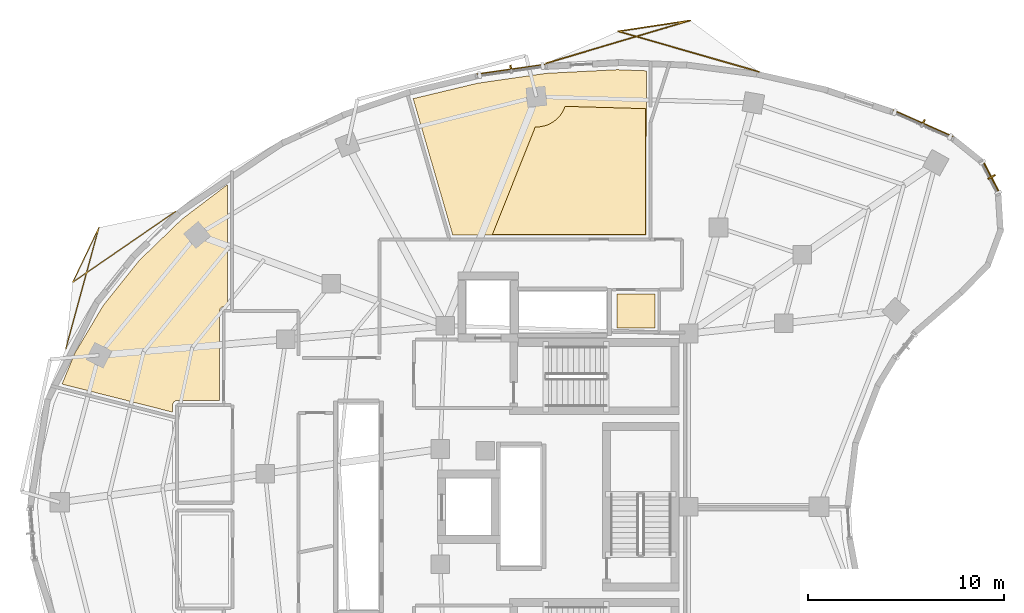
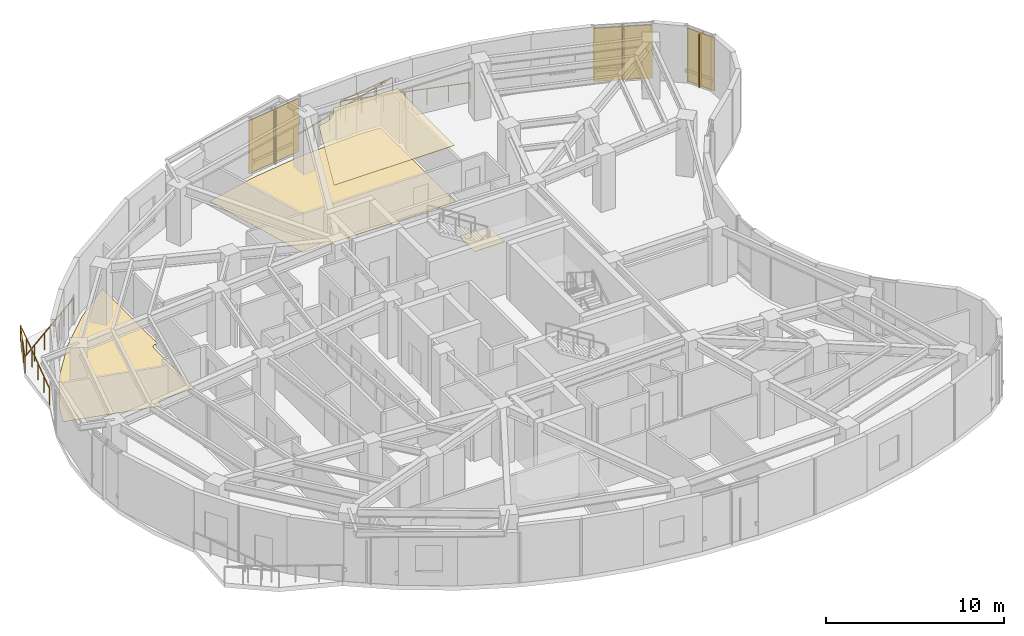
# One storey, part 15 of 15: 6 shading devices, 4 coverings, 2 railings.
"""IFC4 building model written with IfcOpenShell, lengths in metres."""

from ifc_helpers import new_model, si_unit, direction, frame, origin, origin_2d, place, context, subcontext, project, spatial, polyline, rectangle, outline, extrude, material, layer, layer_set, type_object, element, save


model = new_model("IFC4")

# Units and contexts
model_context = context("Model", 3, precision=1e-05, world=origin(), true_north=direction((0.0, 1.0)))
body_context = subcontext(model_context, "Body", "Model", "MODEL_VIEW")
ifc_project = project(units=[si_unit("LENGTHUNIT", "METRE"), si_unit("AREAUNIT", "SQUARE_METRE"), si_unit("VOLUMEUNIT", "CUBIC_METRE"), si_unit("PLANEANGLEUNIT", "RADIAN"), si_unit("MASSUNIT", "GRAM", prefix="KILO")], contexts=[model_context])

# Site, building, storey
site_placement = place(None, origin())
site = spatial("IfcSite", under=ifc_project, at=site_placement, CompositionType="ELEMENT")
building_placement = place(site_placement, origin())
building = spatial("IfcBuilding", under=site, at=building_placement, Name="Korentha Bioscience Tower", CompositionType="ELEMENT")
storey_placement = place(building_placement, frame((0.0, 0.0, 235.199951171875)))
storey = spatial("IfcBuildingStorey", under=building, at=storey_placement, Name="L54", CompositionType="ELEMENT", Elevation=235.199951171875)

# Covering
ifc_material_1 = material(Name="Vitrified Porcelain Tile", Category="ceramic")
ifc_layer_1 = layer(ifc_material_1, 0.014892578125, Name="Vitrified Porcelain Tile")
ifc_layer_set_1 = layer_set([ifc_layer_1], Name="Vitrified Porcelain Tile (FL-CER)")
covering_type_1 = type_object("IfcCoveringType", Name="Anti-Slip Ceramic Wet-Room Tile Flooring 15", PredefinedType="FLOORING", material=ifc_layer_set_1)
covering_1_placement = place(storey_placement, origin())
element("IfcCovering", 1, at=covering_1_placement, inside=storey, type_object=covering_type_1, Name="L54 Accessible Staff WC Floor Finish", PredefinedType="FLOORING", context=body_context, shape_type="SweptSolid", body=[
    extrude(outline(polyline([(33.8701171875, 36.1298828125), (33.8701171875, 37.8701171875), (35.830078125, 37.8701171875), (35.830078125, 36.1298828125), (33.8701171875, 36.1298828125)])), origin(), (0.0, 0.0, 1.0), 0.01513671875),
])

# Railings
ifc_material_2 = material(Name="Laminated Tempered Safety Glass", Category="glass")
railing_type = type_object("IfcRailingType", Name="Laminated Glass Balcony Guardrail 1150", PredefinedType="BALUSTRADE", material=ifc_material_2)
railing_1_placement = place(storey_placement, frame((41.129638671875, 49.22900390625, 0.0)))
element("IfcRailing", 2, at=railing_1_placement, inside=storey, type_object=railing_type, Name="L54 Balcony Guardrail 01", PredefinedType="BALUSTRADE", context=body_context, shape_type="SweptSolid", body=[
    extrude(rectangle(XDim=0.048095703125, YDim=0.048095703125, at=origin_2d()), frame((0.0, 0.0, 1.1259765625), z_axis=(-0.961101180634, 0.276196525293, 0.0), x_axis=(-0.276196525293, -0.961101180634, 0.0)), (0.0, 0.0, 1.0), 7.472900390625),
    extrude(rectangle(XDim=0.048095703125, YDim=0.048095703125, at=origin_2d()), frame((-7.18212890625, 2.06396484375, 1.1259765625), z_axis=(0.98874263413, 0.149626212452, 0.0), x_axis=(-0.149626212452, 0.98874263413, 0.0)), (0.0, 0.0, 1.0), 3.713623046875),
    extrude(rectangle(XDim=0.048095703125, YDim=0.048095703125, at=origin_2d()), frame((-3.51025390625, 2.61962890625, 1.1259765625), z_axis=(-0.958546904997, -0.284934783626, 0.0), x_axis=(0.284934783626, -0.958546904997, 0.0)), (0.0, 0.0, 1.0), 7.688232421875),
    extrude(rectangle(XDim=0.0419921875, YDim=0.0419921875, at=origin_2d()), origin(), (0.0, 0.0, 1.0), 1.101806640625),
    extrude(rectangle(XDim=0.0419921875, YDim=0.0419921875, at=origin_2d()), frame((-1.197021484375, 0.343994140625, 0.0)), (0.0, 0.0, 1.0), 1.101806640625),
    extrude(rectangle(XDim=0.0419921875, YDim=0.0419921875, at=origin_2d()), frame((-2.39404296875, 0.68798828125, 0.0)), (0.0, 0.0, 1.0), 1.101806640625),
    extrude(rectangle(XDim=0.0419921875, YDim=0.0419921875, at=origin_2d()), frame((-3.591064453125, 1.031982421875, 0.0)), (0.0, 0.0, 1.0), 1.101806640625),
    extrude(rectangle(XDim=0.0419921875, YDim=0.0419921875, at=origin_2d()), frame((-4.7880859375, 1.3759765625, 0.0)), (0.0, 0.0, 1.0), 1.101806640625),
    extrude(rectangle(XDim=0.0419921875, YDim=0.0419921875, at=origin_2d()), frame((-5.985107421875, 1.719970703125, 0.0)), (0.0, 0.0, 1.0), 1.101806640625),
    extrude(rectangle(XDim=0.0419921875, YDim=0.0419921875, at=origin_2d()), frame((-7.18212890625, 2.06396484375, 0.0)), (0.0, 0.0, 1.0), 1.101806640625),
    extrude(rectangle(XDim=0.0419921875, YDim=0.0419921875, at=origin_2d()), frame((-5.958251953125, 2.249267578125, 0.0)), (0.0, 0.0, 1.0), 1.101806640625),
    extrude(rectangle(XDim=0.0419921875, YDim=0.0419921875, at=origin_2d()), frame((-4.734130859375, 2.434326171875, 0.0)), (0.0, 0.0, 1.0), 1.101806640625),
    extrude(rectangle(XDim=0.0419921875, YDim=0.0419921875, at=origin_2d()), frame((-3.51025390625, 2.61962890625, 0.0)), (0.0, 0.0, 1.0), 1.101806640625),
    extrude(rectangle(XDim=0.0419921875, YDim=0.0419921875, at=origin_2d()), frame((-4.738525390625, 2.25439453125, 0.0)), (0.0, 0.0, 1.0), 1.101806640625),
    extrude(rectangle(XDim=0.0419921875, YDim=0.0419921875, at=origin_2d()), frame((-5.966796875, 1.889404296875, 0.0)), (0.0, 0.0, 1.0), 1.101806640625),
    extrude(rectangle(XDim=0.0419921875, YDim=0.0419921875, at=origin_2d()), frame((-7.195068359375, 1.5244140625, 0.0)), (0.0, 0.0, 1.0), 1.101806640625),
    extrude(rectangle(XDim=0.0419921875, YDim=0.0419921875, at=origin_2d()), frame((-8.42333984375, 1.1591796875, 0.0)), (0.0, 0.0, 1.0), 1.101806640625),
    extrude(rectangle(XDim=0.0419921875, YDim=0.0419921875, at=origin_2d()), frame((-9.651611328125, 0.7939453125, 0.0)), (0.0, 0.0, 1.0), 1.101806640625),
    extrude(rectangle(XDim=0.0419921875, YDim=0.0419921875, at=origin_2d()), frame((-10.8798828125, 0.428955078125, 0.0)), (0.0, 0.0, 1.0), 1.101806640625),
])
railing_2_placement = place(storey_placement, frame((11.322509765625, 42.087646484375, 0.0)))
element("IfcRailing", 3, at=railing_2_placement, inside=storey, type_object=railing_type, Name="L54 Balcony Guardrail 02", PredefinedType="BALUSTRADE", context=body_context, shape_type="SweptSolid", body=[
    extrude(rectangle(XDim=0.048095703125, YDim=0.048095703125, at=origin_2d()), frame((0.0, 0.0, 1.1259765625), z_axis=(-0.823838559172, -0.566824512898, 0.0), x_axis=(0.566824512898, -0.823838559172, 0.0)), (0.0, 0.0, 1.0), 6.376708984375),
    extrude(rectangle(XDim=0.048095703125, YDim=0.048095703125, at=origin_2d()), frame((-5.25341796875, -3.614501953125, 1.1259765625), z_axis=(0.430999986966, 0.902351933137, 0.0), x_axis=(-0.902351933137, 0.430999986966, 0.0)), (0.0, 0.0, 1.0), 3.091796875),
    extrude(rectangle(XDim=0.048095703125, YDim=0.048095703125, at=origin_2d()), frame((-3.9208984375, -0.82470703125, 1.1259765625), z_axis=(-0.263030616196, -0.964787486934, 0.0), x_axis=(0.964787486934, -0.263030616196, 0.0)), (0.0, 0.0, 1.0), 6.4267578125),
    extrude(rectangle(XDim=0.0419921875, YDim=0.0419921875, at=origin_2d()), origin(), (0.0, 0.0, 1.0), 1.101806640625),
    extrude(rectangle(XDim=0.0419921875, YDim=0.0419921875, at=origin_2d()), frame((-1.05078125, -0.722900390625, 0.0)), (0.0, 0.0, 1.0), 1.101806640625),
    extrude(rectangle(XDim=0.0419921875, YDim=0.0419921875, at=origin_2d()), frame((-2.101318359375, -1.44580078125, 0.0)), (0.0, 0.0, 1.0), 1.101806640625),
    extrude(rectangle(XDim=0.0419921875, YDim=0.0419921875, at=origin_2d()), frame((-3.152099609375, -2.168701171875, 0.0)), (0.0, 0.0, 1.0), 1.101806640625),
    extrude(rectangle(XDim=0.0419921875, YDim=0.0419921875, at=origin_2d()), frame((-4.20263671875, -2.8916015625, 0.0)), (0.0, 0.0, 1.0), 1.101806640625),
    extrude(rectangle(XDim=0.0419921875, YDim=0.0419921875, at=origin_2d()), frame((-5.25341796875, -3.614501953125, 0.0)), (0.0, 0.0, 1.0), 1.101806640625),
    extrude(rectangle(XDim=0.0419921875, YDim=0.0419921875, at=origin_2d()), frame((-4.809326171875, -2.6845703125, 0.0)), (0.0, 0.0, 1.0), 1.101806640625),
    extrude(rectangle(XDim=0.0419921875, YDim=0.0419921875, at=origin_2d()), frame((-4.364990234375, -1.754638671875, 0.0)), (0.0, 0.0, 1.0), 1.101806640625),
    extrude(rectangle(XDim=0.0419921875, YDim=0.0419921875, at=origin_2d()), frame((-3.9208984375, -0.82470703125, 0.0)), (0.0, 0.0, 1.0), 1.101806640625),
    extrude(rectangle(XDim=0.0419921875, YDim=0.0419921875, at=origin_2d()), frame((-4.259033203125, -2.064697265625, 0.0)), (0.0, 0.0, 1.0), 1.101806640625),
    extrude(rectangle(XDim=0.0419921875, YDim=0.0419921875, at=origin_2d()), frame((-4.59716796875, -3.304931640625, 0.0)), (0.0, 0.0, 1.0), 1.101806640625),
    extrude(rectangle(XDim=0.0419921875, YDim=0.0419921875, at=origin_2d()), frame((-4.93505859375, -4.544921875, 0.0)), (0.0, 0.0, 1.0), 1.101806640625),
    extrude(rectangle(XDim=0.0419921875, YDim=0.0419921875, at=origin_2d()), frame((-5.273193359375, -5.78515625, 0.0)), (0.0, 0.0, 1.0), 1.101806640625),
    extrude(rectangle(XDim=0.0419921875, YDim=0.0419921875, at=origin_2d()), frame((-5.611328125, -7.025146484375, 0.0)), (0.0, 0.0, 1.0), 1.101806640625),
])

# Covering
ifc_material_3 = material(Name="Antimicrobial Mineral Fibre Board", Category="gypsum")
ifc_layer_2 = layer(ifc_material_3, 0.034912109375, Name="Antimicrobial Mineral Fibre Board")
ifc_layer_set_2 = layer_set([ifc_layer_2], Name="Antimicrobial Mineral Fibre Board (CL-MF35)")
covering_type_2 = type_object("IfcCoveringType", Name="Mineral-Fibre Cleanroom Suspended Ceiling 35", PredefinedType="CEILING", material=ifc_layer_set_2)
covering_2_placement = place(storey_placement, frame((0.0, 0.0, 3.864990234375)))
element("IfcCovering", 4, at=covering_2_placement, inside=storey, type_object=covering_type_2, Name="L54 Clean Linen and Labcoat Store 09 Acoustic Ceiling", PredefinedType="CEILING", context=body_context, shape_type="SweptSolid", body=[
    extrude(outline(polyline([(35.347900390625, 47.340576171875), (35.342041015625, 40.909912109375), (27.515380859375, 40.909912109375), (29.702880859375, 46.404052734375), (29.9111328125, 46.40869140625), (30.209228515625, 46.468017578125), (30.3525390625, 46.519287109375), (30.620361328125, 46.662353515625), (30.855224609375, 46.855224609375), (30.95751953125, 46.968017578125), (31.126220703125, 47.220458984375), (31.2275390625, 47.459228515625), (35.347900390625, 47.340576171875)])), origin(), (0.0, 0.0, 1.0), 0.03515625),
])

# Shading devices
ifc_material_4 = material(Name="Perforated Stone-Ceramic Composite", Category="masonry")
ifc_layer_3 = layer(ifc_material_4, 0.06494140625, Name="Perforated Stone-Ceramic Composite")
ifc_layer_set_3 = layer_set([ifc_layer_3], Name="Perforated Stone-Ceramic Composite (CS-01)")
shading_device_type_1 = type_object("IfcShadingDeviceType", Name="Perforated Stone-Ceramic Solar Screen Panel 65", PredefinedType="USERDEFINED", material=ifc_layer_set_3)
shading_device_1_placement = place(storey_placement, frame((49.5126953125, 46.582275390625, 0.0), z_axis=(0.0, 0.0, 1.0), x_axis=(-0.913943941578, 0.405840450983, 0.0)))
element("IfcShadingDevice", 5, at=shading_device_1_placement, inside=storey, type_object=shading_device_type_1, Name="CW-L54-01 Perforated Stone-Ceramic Solar Screen", ObjectType="SCREEN", PredefinedType="USERDEFINED", context=body_context, shape_type="SweptSolid", body=[
    extrude(rectangle(XDim=3.33837890625, YDim=0.06494140625, at=origin_2d()), origin(), (0.0, 0.0, 1.0), 3.64990234375),
])
shading_device_2_placement = place(storey_placement, frame((28.4658203125, 49.341796875, 0.0), z_axis=(0.0, 0.0, 1.0), x_axis=(-0.989901889134, -0.141754188259, 0.0)))
element("IfcShadingDevice", 6, at=shading_device_2_placement, inside=storey, type_object=shading_device_type_1, Name="CW-L54-07 Perforated Stone-Ceramic Solar Screen", ObjectType="SCREEN", PredefinedType="USERDEFINED", context=body_context, shape_type="SweptSolid", body=[
    extrude(rectangle(XDim=3.521484375, YDim=0.06494140625, at=origin_2d()), origin(), (0.0, 0.0, 1.0), 3.64990234375),
])
shading_device_3_placement = place(storey_placement, frame((53.003662109375, 43.843505859375, 0.0), z_axis=(0.0, 0.0, 1.0), x_axis=(-0.459738031963, 0.888054582763, 0.0)))
element("IfcShadingDevice", 7, at=shading_device_3_placement, inside=storey, type_object=shading_device_type_1, Name="CW-L54-61 Perforated Stone-Ceramic Solar Screen", ObjectType="SCREEN", PredefinedType="USERDEFINED", context=body_context, shape_type="SweptSolid", body=[
    extrude(rectangle(XDim=1.831298828125, YDim=0.06494140625, at=origin_2d()), origin(), (0.0, 0.0, 1.0), 3.64990234375),
])

# Coverings
ifc_material_5 = material(Name="Chemical-Resistant Epoxy Resin", Category="polymer")
ifc_layer_4 = layer(ifc_material_5, 0.011962890625, Name="Chemical-Resistant Epoxy Resin")
ifc_layer_set_4 = layer_set([ifc_layer_4], Name="Chemical-Resistant Epoxy Resin (FL-EPX)")
covering_type_3 = type_object("IfcCoveringType", Name="Seamless Epoxy Laboratory Flooring 12", PredefinedType="FLOORING", material=ifc_layer_set_4)
covering_3_placement = place(storey_placement, origin())
element("IfcCovering", 8, at=covering_3_placement, inside=storey, type_object=covering_type_3, Name="L54 Clean Linen and Labcoat Store 09 Floor Finish", PredefinedType="FLOORING", context=body_context, shape_type="SweptSolid", body=[
    extrude(outline(polyline([(26.760498046875, 48.64306640625), (30.298828125, 49.149658203125), (33.893310546875, 49.33349609375), (35.3779296875, 49.27490234375), (35.3720703125, 40.8798828125), (25.48681640625, 40.8798828125), (23.46484375, 47.853515625), (26.760498046875, 48.64306640625)])), origin(), (0.0, 0.0, 1.0), 0.011962890625),
])
covering_4_placement = place(storey_placement, origin())
element("IfcCovering", 9, at=covering_4_placement, inside=storey, type_object=covering_type_3, Name="L54 Stem-Cell Differentiation Cleanroom 11 Floor Finish", PredefinedType="FLOORING", context=body_context, shape_type="SweptSolid", body=[
    extrude(outline(polyline([(7.622314453125, 37.277099609375), (9.459228515625, 39.5771484375), (11.65478515625, 41.69970703125), (13.971923828125, 43.456298828125), (13.971923828125, 37.22998046875), (13.7666015625, 37.2275390625), (13.68212890625, 37.197509765625), (13.60302734375, 37.11865234375), (13.5703125, 37.01171875), (13.570068359375, 32.429931640625), (11.344482421875, 32.423095703125), (11.2451171875, 32.3701171875), (11.177001953125, 32.25634765625), (11.169921875, 31.833251953125), (5.52294921875, 33.26708984375), (6.168701171875, 34.833740234375), (7.622314453125, 37.277099609375)])), origin(), (0.0, 0.0, 1.0), 0.011962890625),
])

# Shading devices
ifc_material_6 = material(Name="Honed Travertine Limestone", Category="masonry")
ifc_layer_5 = layer(ifc_material_6, 0.080078125, Name="Honed Travertine Limestone")
ifc_layer_set_5 = layer_set([ifc_layer_5], Name="Honed Travertine Limestone (CS-02)")
shading_device_type_2 = type_object("IfcShadingDeviceType", Name="Vertical Honed Limestone Sunshade Fin 80x420", PredefinedType="USERDEFINED", material=ifc_layer_set_5)
for number, where, z_axis, x_axis, name in (
    (10, (49.520751953125, 46.600341796875, 0.0), (0.0, 0.0, 1.0), (-0.913943941578, 0.405840450983, 0.0), "CW-L54-01 Limestone Sunshade Fin"),
    (11, (28.462890625, 49.361572265625, 0.0), (0.0, 0.0, 1.0), (-0.989901889134, -0.141754188259, 0.0), "CW-L54-07 Limestone Sunshade Fin"),
    (12, (53.021484375, 43.8525390625, 0.0), (0.0, 0.0, 1.0), (-0.459738031963, 0.888054582763, 0.0), "CW-L54-61 Limestone Sunshade Fin"),
):
    element("IfcShadingDevice", number, at=place(storey_placement, frame(where, z_axis=z_axis, x_axis=x_axis)), inside=storey, type_object=shading_device_type_2, Name=name, ObjectType="SCREEN", PredefinedType="USERDEFINED", context=body_context, shape_type="SweptSolid", body=[
        extrude(rectangle(XDim=0.080078125, YDim=0.419921875, at=origin_2d()), origin(), (0.0, 0.0, 1.0), 3.64990234375),
    ])

save(model, "model.ifc")
